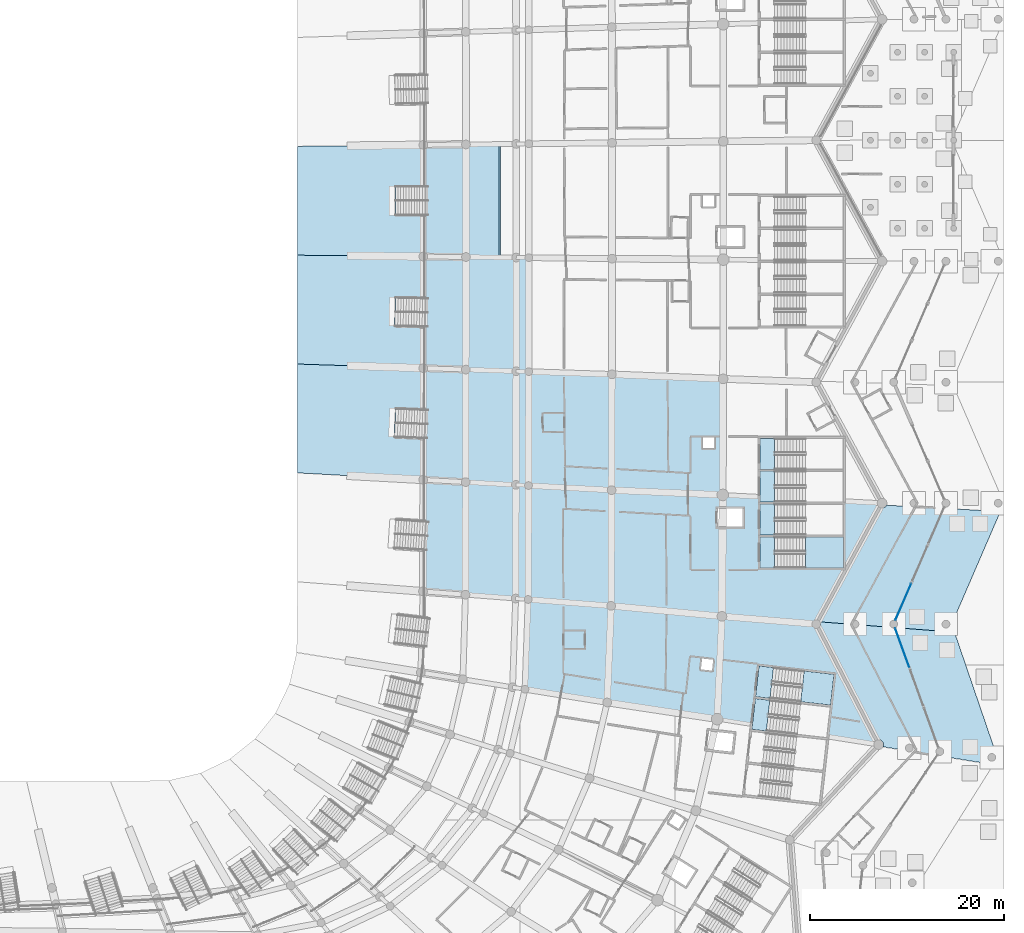
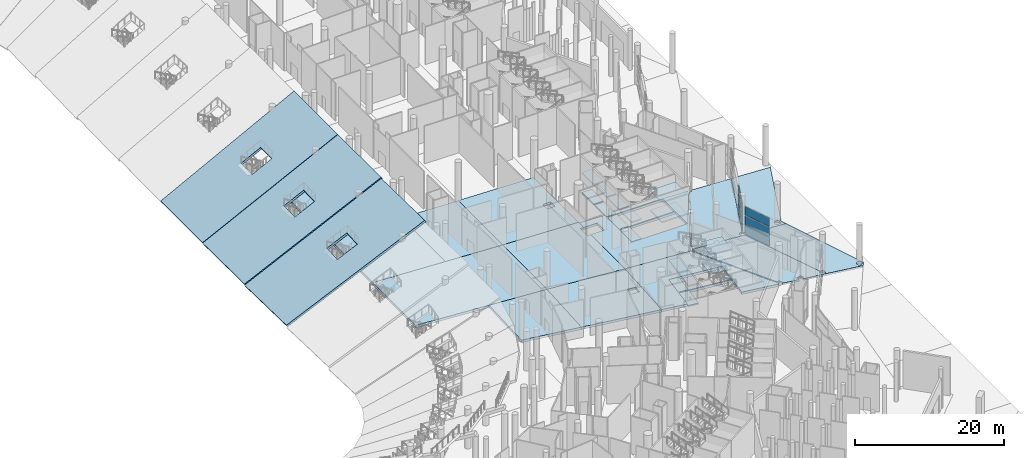
# One storey, part 83 of 255: 33 slabs, 6 plates, 8 elements without a shape of their own.
"""IFC4 building model written with IfcOpenShell, lengths in metres."""

from ifc_helpers import new_model, si_unit, direction, frame, origin, origin_2d, place, context, subcontext, project, spatial, polyline, rectangle, outline, extrude, material, layer, layer_set, type_object, element, aggregate, save


model = new_model("IFC4")

# Units and contexts
model_context = context("Model", 3, precision=1e-05, world=origin(), true_north=direction((0.0, 1.0)))
body_context = subcontext(model_context, "Body", "Model", "MODEL_VIEW")
ifc_project = project(units=[si_unit("LENGTHUNIT", "METRE"), si_unit("AREAUNIT", "SQUARE_METRE"), si_unit("VOLUMEUNIT", "CUBIC_METRE"), si_unit("PLANEANGLEUNIT", "RADIAN"), si_unit("MASSUNIT", "GRAM", prefix="KILO")], contexts=[model_context])

# Site, building, storey
site_placement = place(None, origin())
site = spatial("IfcSite", under=ifc_project, at=site_placement, CompositionType="ELEMENT")
building_placement = place(site_placement, origin())
building = spatial("IfcBuilding", under=site, at=building_placement, Name="Meseta Stadium", CompositionType="ELEMENT")
storey_placement = place(building_placement, origin())
storey = spatial("IfcBuildingStorey", under=building, at=storey_placement, Name="L00", CompositionType="ELEMENT", Elevation=0.0)

# Slabs
ifc_material_1 = material(Name="Concrete C40/50", Category="concrete")
ifc_layer_1 = layer(ifc_material_1, 0.39990234375)
ifc_layer_set_1 = layer_set([ifc_layer_1], Name="Floor slab 400")
slab_type_1 = type_object("IfcSlabType", Name="Floor slab 400", PredefinedType="FLOOR", material=ifc_layer_set_1)
slab_1_placement = place(storey_placement, frame((0.0, 0.0, -0.39990234375)))
element("IfcSlab", 1, at=slab_1_placement, inside=storey, type_object=slab_type_1, Name="Floor slab L00 sector 00 panel 02", PredefinedType="FLOOR", context=body_context, shape_type="SweptSolid", body=[
    extrude(outline(polyline([(53.992919921875, -17.302490234375), (53.98046875, -28.836669921875), (64.8642578125, -29.433349609375), (64.88720703125, -17.660888671875), (53.992919921875, -17.302490234375)])), origin(), (0.0, 0.0, 1.0), 0.39990234375),
])
slab_2_placement = place(storey_placement, frame((0.0, 0.0, -0.39990234375)))
element("IfcSlab", 2, at=slab_2_placement, inside=storey, type_object=slab_type_1, Name="Floor slab L00 sector 00 panel 04", PredefinedType="FLOOR", context=body_context, shape_type="SweptSolid", body=[
    extrude(outline(polyline([(53.999267578125, -5.767578125), (53.992919921875, -17.302490234375), (64.88720703125, -17.660888671875), (64.898681640625, -5.886962890625), (53.999267578125, -5.767578125)])), origin(), (0.0, 0.0, 1.0), 0.39990234375),
])
slab_3_placement = place(storey_placement, frame((0.0, 0.0, -0.39990234375)))
element("IfcSlab", 3, at=slab_3_placement, inside=storey, type_object=slab_type_1, Name="Floor slab L00 sector 00 panel 06", PredefinedType="FLOOR", context=body_context, shape_type="SweptSolid", body=[
    extrude(outline(polyline([(73.451416015625, -29.904052734375), (53.98046875, -28.836669921875), (53.9619140625, -40.369873046875), (73.40478515625, -41.8623046875), (73.451416015625, -29.904052734375)])), origin(), (0.0, 0.0, 1.0), 0.39990234375),
])
slab_4_placement = place(storey_placement, frame((0.0, 0.0, -0.39990234375)))
element("IfcSlab", 4, at=slab_4_placement, inside=storey, type_object=slab_type_1, Name="Floor slab L00 sector 00 panel 08", PredefinedType="FLOOR", context=body_context, shape_type="SweptSolid", body=[
    extrude(outline(polyline([(64.829833984375, -41.2041015625), (64.501953125, -50.4697265625), (72.99267578125, -51.837158203125), (73.40478515625, -41.8623046875), (64.829833984375, -41.2041015625)])), origin(), (0.0, 0.0, 1.0), 0.39990234375),
])
slab_5_placement = place(storey_placement, frame((0.0, 0.0, -0.39990234375)))
element("IfcSlab", 5, at=slab_5_placement, inside=storey, type_object=slab_type_1, Name="Floor slab L00 sector 00 panel 09", PredefinedType="FLOOR", context=body_context, shape_type="SweptSolid", body=[
    extrude(outline(polyline([(73.482421875, -17.943603515625), (64.88720703125, -17.660888671875), (64.8642578125, -29.433349609375), (73.451416015625, -29.904052734375), (73.482421875, -17.943603515625)])), origin(), (0.0, 0.0, 1.0), 0.39990234375),
])
slab_6_placement = place(storey_placement, frame((0.0, 0.0, -0.39990234375)))
element("IfcSlab", 6, at=slab_6_placement, inside=storey, type_object=slab_type_1, Name="Floor slab L00 sector 00 panel 13", PredefinedType="FLOOR", context=body_context, shape_type="SweptSolid", body=[
    extrude(outline(polyline([(84.85400390625, -42.948486328125), (73.40478515625, -41.8623046875), (72.99267578125, -51.837158203125), (84.34033203125, -53.664794921875), (84.36328125, -53.5654296875), (84.85400390625, -42.948486328125)]), holes=[polyline([(83.84716796875, -48.57861328125), (82.65478515625, -48.444091796875), (82.7890625, -47.251708984375), (83.9814453125, -47.385986328125), (83.84716796875, -48.57861328125)])]), origin(), (0.0, 0.0, 1.0), 0.39990234375),
])
slab_7_placement = place(storey_placement, frame((0.0, 0.0, -0.39990234375)))
element("IfcSlab", 7, at=slab_7_placement, inside=storey, type_object=slab_type_1, Name="Floor slab L00 sector 00 panel 15", PredefinedType="FLOOR", context=body_context, shape_type="SweptSolid", body=[
    extrude(outline(polyline([(84.940673828125, -30.404052734375), (73.451416015625, -29.904052734375), (73.40478515625, -41.8623046875), (84.85400390625, -42.948486328125), (84.91796875, -33.699951171875), (84.39990234375, -33.699951171875), (84.39990234375, -31.800048828125), (84.93115234375, -31.800048828125), (84.940673828125, -30.404052734375)])), origin(), (0.0, 0.0, 1.0), 0.39990234375),
])
slab_8_placement = place(storey_placement, frame((0.0, 0.0, -0.39990234375)))
element("IfcSlab", 8, at=slab_8_placement, inside=storey, type_object=slab_type_1, Name="Floor slab L00 sector 00 panel 16", PredefinedType="FLOOR", context=body_context, shape_type="SweptSolid", body=[
    extrude(outline(polyline([(73.451416015625, -29.904052734375), (84.940673828125, -30.404052734375), (84.973388671875, -18.321533203125), (73.482421875, -17.943603515625), (73.451416015625, -29.904052734375)]), holes=[polyline([(82.85009765625, -25.60009765625), (82.85009765625, -24.39990234375), (84.050048828125, -24.39990234375), (84.050048828125, -25.60009765625), (82.85009765625, -25.60009765625)])]), origin(), (0.0, 0.0, 1.0), 0.39990234375),
])
slab_9_placement = place(storey_placement, frame((0.0, 0.0, -0.39990234375)))
element("IfcSlab", 9, at=slab_9_placement, inside=storey, type_object=slab_type_1, Name="Floor slab L00 sector 00 panel 23", PredefinedType="FLOOR", context=body_context, shape_type="SweptSolid", body=[
    extrude(outline(polyline([(84.91796875, -33.699951171875), (84.85400390625, -42.948486328125), (94.60009765625, -43.75), (101.301513671875, -31.430908203125), (96.176025390625, -31.14990234375), (88.800048828125, -31.14990234375), (88.800048828125, -30.74560546875), (84.939697265625, -30.533935546875), (84.93115234375, -31.800048828125), (87.0, -31.800048828125), (87.0, -33.699951171875), (84.91796875, -33.699951171875)]), holes=[polyline([(88.800048828125, -34.75), (97.39990234375, -34.75), (97.39990234375, -37.949951171875), (88.800048828125, -37.949951171875), (88.800048828125, -34.75)]), polyline([(88.800048828125, -31.35009765625), (97.39990234375, -31.35009765625), (97.39990234375, -34.550048828125), (88.800048828125, -34.550048828125), (88.800048828125, -31.35009765625)])]), origin(), (0.0, 0.0, 1.0), 0.39990234375),
])
slab_10_placement = place(storey_placement, frame((0.0, 0.0, -0.39990234375)))
element("IfcSlab", 10, at=slab_10_placement, inside=storey, type_object=slab_type_1, Name="Floor slab L00 sector 00 panel 25", PredefinedType="FLOOR", context=body_context, shape_type="SweptSolid", body=[
    extrude(outline(polyline([(96.05517578125, -52.319091796875), (95.697509765625, -55.493896484375), (100.927490234375, -56.336181640625), (101.0517578125, -56.202880859375), (94.60009765625, -43.75), (84.85400390625, -42.948486328125), (84.36328125, -53.5654296875), (84.34033203125, -53.664794921875), (87.98779296875, -54.252197265625), (88.30419921875, -51.44580078125), (96.05517578125, -52.319091796875)]), holes=[polyline([(96.077392578125, -52.1201171875), (88.326416015625, -51.246826171875), (88.684814453125, -48.06689453125), (96.435791015625, -48.9404296875), (96.077392578125, -52.1201171875)])]), origin(), (0.0, 0.0, 1.0), 0.39990234375),
])
ifc_material_2 = material(Name="Concrete C40/50", Category="concrete")
ifc_layer_2 = layer(ifc_material_2, 0.300048828125)
ifc_layer_set_2 = layer_set([ifc_layer_2], Name="Passage paving slab 300")
slab_type_2 = type_object("IfcSlabType", Name="Passage paving slab 300", PredefinedType="FLOOR", material=ifc_layer_set_2)
slab_11_placement = place(storey_placement, frame((0.0, 0.0, -0.300048828125)))
element("IfcSlab", 11, at=slab_11_placement, inside=storey, type_object=slab_type_2, Name="Covered passage paving 8 part 2 panel 01", PredefinedType="FLOOR", context=body_context, shape_type="SweptSolid", body=[
    extrude(outline(polyline([(108.885986328125, -44.58544921875), (108.60009765625, -43.75), (113.6298828125, -32.10693359375), (107.768798828125, -31.78564453125), (102.758544921875, -43.3828125), (102.8017578125, -43.400634765625), (102.88525390625, -43.464599609375), (102.949462890625, -43.54833984375), (102.98974609375, -43.6455078125), (103.00341796875, -43.75), (102.98974609375, -43.8544921875), (102.949462890625, -43.95166015625), (102.88525390625, -44.035400390625), (102.8017578125, -44.099365234375), (102.7626953125, -44.115478515625), (108.885986328125, -44.58544921875)]), holes=[polyline([(108.0, -44.153564453125), (107.8955078125, -44.1396484375), (107.79833984375, -44.099365234375), (107.714599609375, -44.035400390625), (107.650634765625, -43.95166015625), (107.6103515625, -43.8544921875), (107.596435546875, -43.75), (107.6103515625, -43.6455078125), (107.650634765625, -43.54833984375), (107.714599609375, -43.464599609375), (107.79833984375, -43.400634765625), (107.8955078125, -43.3603515625), (108.0, -43.346435546875), (108.1044921875, -43.3603515625), (108.20166015625, -43.400634765625), (108.285400390625, -43.464599609375), (108.349365234375, -43.54833984375), (108.3896484375, -43.6455078125), (108.403564453125, -43.75), (108.3896484375, -43.8544921875), (108.349365234375, -43.95166015625), (108.285400390625, -44.035400390625), (108.20166015625, -44.099365234375), (108.1044921875, -44.1396484375), (108.0, -44.153564453125)])]), origin(), (0.0, 0.0, 1.0), 0.300048828125),
])
slab_12_placement = place(storey_placement, frame((0.0, 0.0, -0.300048828125)))
element("IfcSlab", 12, at=slab_12_placement, inside=storey, type_object=slab_type_2, Name="Covered passage paving 8 part 2 panel 02", PredefinedType="FLOOR", context=body_context, shape_type="SweptSolid", body=[
    extrude(outline(polyline([(107.093017578125, -57.3291015625), (112.906005859375, -58.265380859375), (113.33349609375, -57.586669921875), (110.053466796875, -48.0), (110.05419921875, -48.0), (108.885986328125, -44.58544921875), (102.7626953125, -44.115478515625), (102.736572265625, -44.12646484375), (107.23583984375, -56.53857421875), (107.267822265625, -56.525390625), (107.372314453125, -56.51171875), (107.476806640625, -56.525390625), (107.57421875, -56.565673828125), (107.65771484375, -56.629638671875), (107.7216796875, -56.71337890625), (107.76220703125, -56.810546875), (107.77587890625, -56.9150390625), (107.76220703125, -57.019287109375), (107.7216796875, -57.11669921875), (107.65771484375, -57.2001953125), (107.57421875, -57.264404296875), (107.476806640625, -57.3046875), (107.372314453125, -57.318603515625), (107.267822265625, -57.3046875), (107.170654296875, -57.264404296875), (107.148193359375, -57.247314453125), (107.093017578125, -57.3291015625)]), holes=[polyline([(112.8427734375, -57.9091796875), (112.73828125, -57.923095703125), (112.634033203125, -57.9091796875), (112.53662109375, -57.868896484375), (112.453125, -57.804931640625), (112.388916015625, -57.72119140625), (112.3486328125, -57.6240234375), (112.3349609375, -57.51953125), (112.3486328125, -57.415283203125), (112.388916015625, -57.31787109375), (112.453125, -57.234375), (112.53662109375, -57.170166015625), (112.634033203125, -57.1298828125), (112.73828125, -57.1162109375), (112.8427734375, -57.1298828125), (112.940185546875, -57.170166015625), (113.023681640625, -57.234375), (113.087890625, -57.31787109375), (113.128173828125, -57.415283203125), (113.141845703125, -57.51953125), (113.128173828125, -57.6240234375), (113.087890625, -57.72119140625), (113.023681640625, -57.804931640625), (112.940185546875, -57.868896484375), (112.8427734375, -57.9091796875)])]), origin(), (0.0, 0.0, 1.0), 0.300048828125),
])

# Curtain wall, plates
ifc_material_3 = material(Name="Aluminium", Category="aluminium")
ifc_layer_3 = layer(ifc_material_3, 0.199951171875)
ifc_layer_set_3 = layer_set([ifc_layer_3], Name="Ring shopfront curtain wall")
curtain_wall_type = type_object("IfcCurtainWallType", Name="Ring shopfront curtain wall", PredefinedType="NOTDEFINED", material=ifc_layer_set_3)
curtain_wall_1_placement = place(storey_placement, origin())
curtain_wall_1 = element("IfcCurtainWall", 13, at=curtain_wall_1_placement, inside=storey, type_object=curtain_wall_type, Name="Shopfront glazing F00b", PredefinedType="NOTDEFINED")
ifc_material_4 = material(Name="Glass", Category="glass")
ifc_layer_4 = layer(ifc_material_4, 0.035888671875)
ifc_layer_set_4 = layer_set([ifc_layer_4], Name="Ring CW glass panel 36")
plate_type = type_object("IfcPlateType", Name="Ring CW glass panel 36", PredefinedType="CURTAIN_PANEL", material=ifc_layer_set_4)
plate_1_placement = place(storey_placement, frame((103.486328125, -46.195068359375, 0.150146484375), z_axis=(0.0, 0.0, 1.0), x_axis=(-0.340807104716, 0.940133244479, 0.0)))
plate_1 = element("IfcPlate", 14, at=plate_1_placement, type_object=plate_type, Name="CWR1 panel 1.1", PredefinedType="CURTAIN_PANEL", context=body_context, shape_type="SweptSolid", body=[
    extrude(rectangle(XDim=4.281494140625, YDim=0.035888671875, at=origin_2d()), origin(), (0.0, 0.0, 1.0), 1.3916015625),
])
plate_2_placement = place(storey_placement, frame((103.486328125, -46.195068359375, 1.69189453125), z_axis=(0.0, 0.0, 1.0), x_axis=(-0.340807104716, 0.940133244479, 0.0)))
plate_2 = element("IfcPlate", 15, at=plate_2_placement, type_object=plate_type, Name="CWR1 panel 1.2", PredefinedType="CURTAIN_PANEL", context=body_context, shape_type="SweptSolid", body=[
    extrude(rectangle(XDim=4.281494140625, YDim=0.035888671875, at=origin_2d()), origin(), (0.0, 0.0, 1.0), 1.466552734375),
])
plate_3_placement = place(storey_placement, frame((103.486328125, -46.195068359375, 3.308349609375), z_axis=(0.0, 0.0, 1.0), x_axis=(-0.340807104716, 0.940133244479, 0.0)))
plate_3 = element("IfcPlate", 16, at=plate_3_placement, type_object=plate_type, Name="CWR1 panel 1.3", PredefinedType="CURTAIN_PANEL", context=body_context, shape_type="SweptSolid", body=[
    extrude(rectangle(XDim=4.281494140625, YDim=0.035888671875, at=origin_2d()), origin(), (0.0, 0.0, 1.0), 1.3916015625),
])
aggregate(curtain_wall_1, [plate_1, plate_2, plate_3])

curtain_wall_2_placement = place(storey_placement, origin())
curtain_wall_2 = element("IfcCurtainWall", 17, at=curtain_wall_2_placement, inside=storey, type_object=curtain_wall_type, Name="Shopfront glazing F01a", PredefinedType="NOTDEFINED")
plate_4_placement = place(storey_placement, frame((103.593017578125, -41.451171875, 0.150146484375), z_axis=(0.0, 0.0, 1.0), x_axis=(0.396576208678, 0.918001803218, 0.0)))
plate_4 = element("IfcPlate", 18, at=plate_4_placement, type_object=plate_type, Name="CWR1 panel 1.1", PredefinedType="CURTAIN_PANEL", context=body_context, shape_type="SweptSolid", body=[
    extrude(rectangle(XDim=4.08837890625, YDim=0.035888671875, at=origin_2d()), origin(), (0.0, 0.0, 1.0), 1.3916015625),
])
plate_5_placement = place(storey_placement, frame((103.593017578125, -41.451171875, 1.69189453125), z_axis=(0.0, 0.0, 1.0), x_axis=(0.396576208678, 0.918001803218, 0.0)))
plate_5 = element("IfcPlate", 19, at=plate_5_placement, type_object=plate_type, Name="CWR1 panel 1.2", PredefinedType="CURTAIN_PANEL", context=body_context, shape_type="SweptSolid", body=[
    extrude(rectangle(XDim=4.08837890625, YDim=0.035888671875, at=origin_2d()), origin(), (0.0, 0.0, 1.0), 1.466552734375),
])
plate_6_placement = place(storey_placement, frame((103.593017578125, -41.451171875, 3.308349609375), z_axis=(0.0, 0.0, 1.0), x_axis=(0.396576208678, 0.918001803218, 0.0)))
plate_6 = element("IfcPlate", 20, at=plate_6_placement, type_object=plate_type, Name="CWR1 panel 1.3", PredefinedType="CURTAIN_PANEL", context=body_context, shape_type="SweptSolid", body=[
    extrude(rectangle(XDim=4.08837890625, YDim=0.035888671875, at=origin_2d()), origin(), (0.0, 0.0, 1.0), 1.3916015625),
])
aggregate(curtain_wall_2, [plate_4, plate_5, plate_6])

# Slabs
ifc_material_5 = material(Name="Concrete C30/37", Category="concrete")
ifc_layer_5 = layer(ifc_material_5, 0.300048828125)
ifc_layer_set_5 = layer_set([ifc_layer_5], Name="Ring grade slab 300")
slab_type_3 = type_object("IfcSlabType", Name="Ring grade slab 300", PredefinedType="BASESLAB", material=ifc_layer_set_5)
slab_13_placement = place(storey_placement, frame((0.0, 0.0, -0.300048828125)))
element("IfcSlab", 21, at=slab_13_placement, inside=storey, type_object=slab_type_3, Name="Ring ground floor slab 8 part 2 panel 01", PredefinedType="BASESLAB", context=body_context, shape_type="SweptSolid", body=[
    extrude(outline(polyline([(102.49560546875, -44.1396484375), (102.398193359375, -44.099365234375), (102.381103515625, -44.086181640625), (98.993408203125, -43.826171875), (98.98974609375, -43.8544921875), (98.949462890625, -43.95166015625), (98.88525390625, -44.035400390625), (98.8017578125, -44.099365234375), (98.704345703125, -44.1396484375), (98.60009765625, -44.153564453125), (98.49560546875, -44.1396484375), (98.398193359375, -44.099365234375), (98.314697265625, -44.035400390625), (98.25048828125, -43.95166015625), (98.210205078125, -43.8544921875), (98.198486328125, -43.76513671875), (94.989990234375, -43.51904296875), (94.9931640625, -43.523193359375), (95.038330078125, -43.632568359375), (95.053955078125, -43.75), (95.038330078125, -43.867431640625), (94.9931640625, -43.976806640625), (94.929443359375, -44.059814453125), (100.965087890625, -55.7099609375), (101.0517578125, -55.698486328125), (101.18212890625, -55.7158203125), (101.3037109375, -55.76611328125), (101.408203125, -55.84619140625), (101.48828125, -55.95068359375), (101.538818359375, -56.072265625), (101.555908203125, -56.202880859375), (101.538818359375, -56.33349609375), (101.49951171875, -56.42822265625), (103.90478515625, -56.815673828125), (103.862548828125, -56.760498046875), (103.822265625, -56.663330078125), (103.80859375, -56.558837890625), (103.822265625, -56.45458984375), (103.862548828125, -56.357177734375), (103.9267578125, -56.273681640625), (104.01025390625, -56.20947265625), (104.107666015625, -56.169189453125), (104.2119140625, -56.155517578125), (104.31640625, -56.169189453125), (104.413818359375, -56.20947265625), (104.497314453125, -56.273681640625), (104.561279296875, -56.357177734375), (104.601806640625, -56.45458984375), (104.615478515625, -56.558837890625), (104.601806640625, -56.663330078125), (104.561279296875, -56.760498046875), (104.497314453125, -56.84423828125), (104.42529296875, -56.8994140625), (107.093017578125, -57.3291015625), (107.148193359375, -57.247314453125), (107.087158203125, -57.2001953125), (107.02294921875, -57.11669921875), (106.982666015625, -57.019287109375), (106.968994140625, -56.9150390625), (106.982666015625, -56.810546875), (107.02294921875, -56.71337890625), (107.087158203125, -56.629638671875), (107.170654296875, -56.565673828125), (107.23583984375, -56.53857421875), (102.736572265625, -44.12646484375), (102.704345703125, -44.1396484375), (102.60009765625, -44.153564453125), (102.49560546875, -44.1396484375)])), origin(), (0.0, 0.0, 1.0), 0.300048828125),
])
slab_14_placement = place(storey_placement, frame((0.0, 0.0, -0.300048828125)))
element("IfcSlab", 22, at=slab_14_placement, inside=storey, type_object=slab_type_3, Name="Ring ground floor slab 8 part 2 panel 02", PredefinedType="BASESLAB", context=body_context, shape_type="SweptSolid", body=[
    extrude(outline(polyline([(102.704345703125, -43.3603515625), (102.758544921875, -43.3828125), (107.768798828125, -31.78564453125), (104.83984375, -31.625), (104.804443359375, -31.6396484375), (104.699951171875, -31.653564453125), (104.595703125, -31.6396484375), (104.517333984375, -31.607421875), (101.853515625, -31.461181640625), (101.836669921875, -31.502197265625), (101.756591796875, -31.606689453125), (101.652099609375, -31.686767578125), (101.530517578125, -31.737060546875), (101.39990234375, -31.75439453125), (101.30322265625, -31.74169921875), (94.935302734375, -43.44775390625), (94.989990234375, -43.51904296875), (98.198486328125, -43.76513671875), (98.196533203125, -43.75), (98.210205078125, -43.6455078125), (98.25048828125, -43.54833984375), (98.314697265625, -43.464599609375), (98.398193359375, -43.400634765625), (98.49560546875, -43.3603515625), (98.60009765625, -43.346435546875), (98.704345703125, -43.3603515625), (98.8017578125, -43.400634765625), (98.88525390625, -43.464599609375), (98.949462890625, -43.54833984375), (98.98974609375, -43.6455078125), (99.00341796875, -43.75), (98.993408203125, -43.826171875), (102.381103515625, -44.086181640625), (102.314697265625, -44.035400390625), (102.25048828125, -43.95166015625), (102.210205078125, -43.8544921875), (102.196533203125, -43.75), (102.210205078125, -43.6455078125), (102.25048828125, -43.54833984375), (102.314697265625, -43.464599609375), (102.398193359375, -43.400634765625), (102.49560546875, -43.3603515625), (102.60009765625, -43.346435546875), (102.704345703125, -43.3603515625)])), origin(), (0.0, 0.0, 1.0), 0.300048828125),
])
ifc_material_6 = material(Name="Concrete C40/50", Category="concrete")
ifc_layer_6 = layer(ifc_material_6, 0.35009765625)
ifc_layer_set_6 = layer_set([ifc_layer_6], Name="Seating tier 350")
slab_type_4 = type_object("IfcSlabType", Name="Seating tier 350", PredefinedType="USERDEFINED", material=ifc_layer_set_6)
slab_15_placement = place(storey_placement, frame((41.0, -28.125, -2.874267578125), z_axis=(-0.453890944977, 0.019913622557, 0.890834697183), x_axis=(0.889509787846, -0.048768333767, 0.454306049869)))
element("IfcSlab", 23, at=slab_15_placement, inside=storey, type_object=slab_type_4, Name="Stand lower tier bay 03", ObjectType="SEATING TIER", PredefinedType="USERDEFINED", context=body_context, shape_type="SweptSolid", body=[
    extrude(outline(polyline([(0.0, 0.0), (23.348596900800196, 1.3877787807814457e-17), (22.68133721951176, 11.688521654536387), (-0.6628857547247848, 11.23326831530391), (0.0, 0.0)]), holes=[polyline([(11.01953125, 4.227294921875), (14.386962890625, 4.260009765625), (14.35791015625, 7.259765625), (10.990478515625, 7.227294921875), (11.01953125, 4.227294921875)])]), origin(), (0.0, 0.0, -1.0), 0.35009765625),
])
slab_16_placement = place(storey_placement, frame((41.0, -16.875, -2.93701171875), z_axis=(-0.45421956364, 0.009970640844, 0.89083397686), x_axis=(0.890363392122, -0.029288074705, 0.454307427464)))
element("IfcSlab", 24, at=slab_16_placement, inside=storey, type_object=slab_type_4, Name="Stand lower tier bay 04", ObjectType="SEATING TIER", PredefinedType="USERDEFINED", context=body_context, shape_type="SweptSolid", body=[
    extrude(outline(polyline([(0.0, 0.0), (23.34866167194601, -4.85722573273506e-17), (22.957283885143344, 11.699948266812507), (-0.3867229284558792, 11.244056895441984), (0.0, 0.0)]), holes=[polyline([(11.15771484375, 4.23291015625), (14.525390625, 4.265625), (14.495849609375, 7.265380859375), (11.12841796875, 7.232666015625), (11.15771484375, 4.23291015625)])]), origin(), (0.0, 0.0, -1.0), 0.35009765625),
])
slab_17_placement = place(storey_placement, frame((41.0, -5.625, -3.0), z_axis=(-0.454330978881, 0.0, 0.890832959442), x_axis=(0.890790474593, -0.00976626995, 0.454309311313)))
element("IfcSlab", 25, at=slab_17_placement, inside=storey, type_object=slab_type_4, Name="Stand lower tier bay 05", ObjectType="SEATING TIER", PredefinedType="USERDEFINED", context=body_context, shape_type="SweptSolid", body=[
    extrude(outline(polyline([(0.0, 0.0), (23.348458001735928, 3.469446951953614e-17), (23.234133511613948, 11.70549641227142), (-0.10987053693210802, 11.249463474544653), (0.0, 0.0)]), holes=[polyline([(11.296142578125, 4.235595703125), (14.66357421875, 4.268310546875), (14.63427734375, 7.268310546875), (11.266845703125, 7.2353515625), (11.296142578125, 4.235595703125)])]), origin(), (0.0, 0.0, -1.0), 0.35009765625),
])

# Stair, slabs
ifc_material_7 = material(Name="Concrete C40/50", Category="concrete")
stair_type = type_object("IfcStairType", Name="Exit stair 4 flights 148 mm risers", PredefinedType="HALF_TURN_STAIR", material=ifc_material_7)
stair_1_placement = place(storey_placement, origin())
stair_1 = element("IfcStair", 26, at=stair_1_placement, inside=storey, type_object=stair_type, Name="ST3 L00", PredefinedType="HALF_TURN_STAIR")
ifc_material_8 = material(Name="Concrete C40/50", Category="concrete")
ifc_layer_7 = layer(ifc_material_8, 0.199951171875)
ifc_layer_set_7 = layer_set([ifc_layer_7], Name="Stair landing 200")
slab_type_5 = type_object("IfcSlabType", Name="Stair landing 200", PredefinedType="LANDING", material=ifc_layer_set_7)
slab_18_placement = place(storey_placement, frame((0.0, 0.0, 3.050048828125)))
slab_18 = element("IfcSlab", 27, at=slab_18_placement, type_object=slab_type_5, Name="ST3 L00 landing 2", PredefinedType="LANDING", context=body_context, shape_type="SweptSolid", body=[
    extrude(outline(polyline([(87.94580078125, -54.62548828125), (89.4462890625, -54.794677734375), (89.8046875, -51.61474609375), (88.30419921875, -51.445556640625), (87.94580078125, -54.62548828125)])), origin(), (0.0, 0.0, 1.0), 0.199951171875),
])
slab_19_placement = place(storey_placement, frame((0.0, 0.0, -0.199951171875)))
slab_19 = element("IfcSlab", 28, at=slab_19_placement, type_object=slab_type_5, Name="ST3 L00 landing 4", PredefinedType="LANDING", context=body_context, shape_type="SweptSolid", body=[
    extrude(outline(polyline([(87.94580078125, -54.62548828125), (89.4462890625, -54.794677734375), (89.8046875, -51.61474609375), (88.30419921875, -51.445556640625), (87.94580078125, -54.62548828125)])), origin(), (0.0, 0.0, 1.0), 0.199951171875),
])
aggregate(stair_1, [slab_18, slab_19])

stair_2_placement = place(storey_placement, origin())
stair_2 = element("IfcStair", 29, at=stair_2_placement, inside=storey, type_object=stair_type, Name="ST4 L00", PredefinedType="HALF_TURN_STAIR")
slab_20_placement = place(storey_placement, frame((0.0, 0.0, 1.425048828125)))
slab_20 = element("IfcSlab", 30, at=slab_20_placement, type_object=slab_type_5, Name="ST4 L00 landing 1", PredefinedType="LANDING", context=body_context, shape_type="SweptSolid", body=[
    extrude(outline(polyline([(92.987060546875, -51.77197265625), (96.077392578125, -52.1201171875), (96.435791015625, -48.9404296875), (93.34521484375, -48.592041015625), (92.987060546875, -51.77197265625)])), origin(), (0.0, 0.0, 1.0), 0.199951171875),
])
slab_21_placement = place(storey_placement, frame((0.0, 0.0, 3.050048828125)))
slab_21 = element("IfcSlab", 31, at=slab_21_placement, type_object=slab_type_5, Name="ST4 L00 landing 2", PredefinedType="LANDING", context=body_context, shape_type="SweptSolid", body=[
    extrude(outline(polyline([(88.326416015625, -51.246826171875), (89.8271484375, -51.416015625), (90.185302734375, -48.236083984375), (88.684814453125, -48.067138671875), (88.326416015625, -51.246826171875)])), origin(), (0.0, 0.0, 1.0), 0.199951171875),
])
slab_22_placement = place(storey_placement, frame((0.0, 0.0, 4.675048828125)))
slab_22 = element("IfcSlab", 32, at=slab_22_placement, type_object=slab_type_5, Name="ST4 L00 landing 3", PredefinedType="LANDING", context=body_context, shape_type="SweptSolid", body=[
    extrude(outline(polyline([(92.987060546875, -51.77197265625), (96.077392578125, -52.1201171875), (96.435791015625, -48.9404296875), (93.34521484375, -48.592041015625), (92.987060546875, -51.77197265625)])), origin(), (0.0, 0.0, 1.0), 0.199951171875),
])
slab_23_placement = place(storey_placement, frame((0.0, 0.0, -0.199951171875)))
slab_23 = element("IfcSlab", 33, at=slab_23_placement, type_object=slab_type_5, Name="ST4 L00 landing 4", PredefinedType="LANDING", context=body_context, shape_type="SweptSolid", body=[
    extrude(outline(polyline([(88.326416015625, -51.246826171875), (89.8271484375, -51.416015625), (90.185302734375, -48.236083984375), (88.684814453125, -48.067138671875), (88.326416015625, -51.246826171875)])), origin(), (0.0, 0.0, 1.0), 0.199951171875),
])
aggregate(stair_2, [slab_20, slab_21, slab_22, slab_23])

stair_3_placement = place(storey_placement, origin())
stair_3 = element("IfcStair", 34, at=stair_3_placement, inside=storey, type_object=stair_type, Name="ST5 L00", PredefinedType="HALF_TURN_STAIR")
slab_24_placement = place(storey_placement, frame((0.0, 0.0, 1.425048828125)))
slab_24 = element("IfcSlab", 35, at=slab_24_placement, type_object=slab_type_5, Name="ST5 L00 landing 1", PredefinedType="LANDING", context=body_context, shape_type="SweptSolid", body=[
    extrude(outline(polyline([(93.489990234375, -37.949951171875), (97.39990234375, -37.949951171875), (97.39990234375, -34.75), (93.489990234375, -34.75), (93.489990234375, -37.949951171875)])), origin(), (0.0, 0.0, 1.0), 0.199951171875),
])
slab_25_placement = place(storey_placement, frame((0.0, 0.0, 3.050048828125)))
slab_25 = element("IfcSlab", 36, at=slab_25_placement, type_object=slab_type_5, Name="ST5 L00 landing 2", PredefinedType="LANDING", context=body_context, shape_type="SweptSolid", body=[
    extrude(outline(polyline([(88.800048828125, -37.949951171875), (90.31005859375, -37.949951171875), (90.31005859375, -34.75), (88.800048828125, -34.75), (88.800048828125, -37.949951171875)])), origin(), (0.0, 0.0, 1.0), 0.199951171875),
])
slab_26_placement = place(storey_placement, frame((0.0, 0.0, 4.675048828125)))
slab_26 = element("IfcSlab", 37, at=slab_26_placement, type_object=slab_type_5, Name="ST5 L00 landing 3", PredefinedType="LANDING", context=body_context, shape_type="SweptSolid", body=[
    extrude(outline(polyline([(93.489990234375, -37.949951171875), (97.39990234375, -37.949951171875), (97.39990234375, -34.75), (93.489990234375, -34.75), (93.489990234375, -37.949951171875)])), origin(), (0.0, 0.0, 1.0), 0.199951171875),
])
slab_27_placement = place(storey_placement, frame((0.0, 0.0, -0.199951171875)))
slab_27 = element("IfcSlab", 38, at=slab_27_placement, type_object=slab_type_5, Name="ST5 L00 landing 4", PredefinedType="LANDING", context=body_context, shape_type="SweptSolid", body=[
    extrude(outline(polyline([(88.800048828125, -37.949951171875), (90.31005859375, -37.949951171875), (90.31005859375, -34.75), (88.800048828125, -34.75), (88.800048828125, -37.949951171875)])), origin(), (0.0, 0.0, 1.0), 0.199951171875),
])
aggregate(stair_3, [slab_24, slab_25, slab_26, slab_27])

stair_4_placement = place(storey_placement, origin())
stair_4 = element("IfcStair", 39, at=stair_4_placement, inside=storey, type_object=stair_type, Name="ST6 L00", PredefinedType="HALF_TURN_STAIR")
slab_28_placement = place(storey_placement, frame((0.0, 0.0, 3.050048828125)))
slab_28 = element("IfcSlab", 40, at=slab_28_placement, type_object=slab_type_5, Name="ST6 L00 landing 2", PredefinedType="LANDING", context=body_context, shape_type="SweptSolid", body=[
    extrude(outline(polyline([(88.800048828125, -34.550048828125), (90.31005859375, -34.550048828125), (90.31005859375, -31.35009765625), (88.800048828125, -31.35009765625), (88.800048828125, -34.550048828125)])), origin(), (0.0, 0.0, 1.0), 0.199951171875),
])
slab_29_placement = place(storey_placement, frame((0.0, 0.0, -0.199951171875)))
slab_29 = element("IfcSlab", 41, at=slab_29_placement, type_object=slab_type_5, Name="ST6 L00 landing 4", PredefinedType="LANDING", context=body_context, shape_type="SweptSolid", body=[
    extrude(outline(polyline([(88.800048828125, -34.550048828125), (90.31005859375, -34.550048828125), (90.31005859375, -31.35009765625), (88.800048828125, -31.35009765625), (88.800048828125, -34.550048828125)])), origin(), (0.0, 0.0, 1.0), 0.199951171875),
])
aggregate(stair_4, [slab_28, slab_29])

stair_5_placement = place(storey_placement, origin())
stair_5 = element("IfcStair", 42, at=stair_5_placement, inside=storey, type_object=stair_type, Name="ST7 L00", PredefinedType="HALF_TURN_STAIR")
slab_30_placement = place(storey_placement, frame((0.0, 0.0, 3.050048828125)))
slab_30 = element("IfcSlab", 43, at=slab_30_placement, type_object=slab_type_5, Name="ST7 L00 landing 2", PredefinedType="LANDING", context=body_context, shape_type="SweptSolid", body=[
    extrude(outline(polyline([(88.800048828125, -31.14990234375), (90.31005859375, -31.14990234375), (90.31005859375, -27.949951171875), (88.800048828125, -27.949951171875), (88.800048828125, -31.14990234375)])), origin(), (0.0, 0.0, 1.0), 0.199951171875),
])
slab_31_placement = place(storey_placement, frame((0.0, 0.0, -0.199951171875)))
slab_31 = element("IfcSlab", 44, at=slab_31_placement, type_object=slab_type_5, Name="ST7 L00 landing 4", PredefinedType="LANDING", context=body_context, shape_type="SweptSolid", body=[
    extrude(outline(polyline([(88.800048828125, -31.14990234375), (90.31005859375, -31.14990234375), (90.31005859375, -27.949951171875), (88.800048828125, -27.949951171875), (88.800048828125, -31.14990234375)])), origin(), (0.0, 0.0, 1.0), 0.199951171875),
])
aggregate(stair_5, [slab_30, slab_31])

stair_6_placement = place(storey_placement, origin())
stair_6 = element("IfcStair", 45, at=stair_6_placement, inside=storey, type_object=stair_type, Name="ST8 L00", PredefinedType="HALF_TURN_STAIR")
slab_32_placement = place(storey_placement, frame((0.0, 0.0, 3.050048828125)))
slab_32 = element("IfcSlab", 46, at=slab_32_placement, type_object=slab_type_5, Name="ST8 L00 landing 2", PredefinedType="LANDING", context=body_context, shape_type="SweptSolid", body=[
    extrude(outline(polyline([(88.800048828125, -27.75), (90.31005859375, -27.75), (90.31005859375, -24.550048828125), (88.800048828125, -24.550048828125), (88.800048828125, -27.75)])), origin(), (0.0, 0.0, 1.0), 0.199951171875),
])
slab_33_placement = place(storey_placement, frame((0.0, 0.0, -0.199951171875)))
slab_33 = element("IfcSlab", 47, at=slab_33_placement, type_object=slab_type_5, Name="ST8 L00 landing 4", PredefinedType="LANDING", context=body_context, shape_type="SweptSolid", body=[
    extrude(outline(polyline([(88.800048828125, -27.75), (90.31005859375, -27.75), (90.31005859375, -24.550048828125), (88.800048828125, -24.550048828125), (88.800048828125, -27.75)])), origin(), (0.0, 0.0, 1.0), 0.199951171875),
])
aggregate(stair_6, [slab_32, slab_33])

save(model, "model.ifc")
